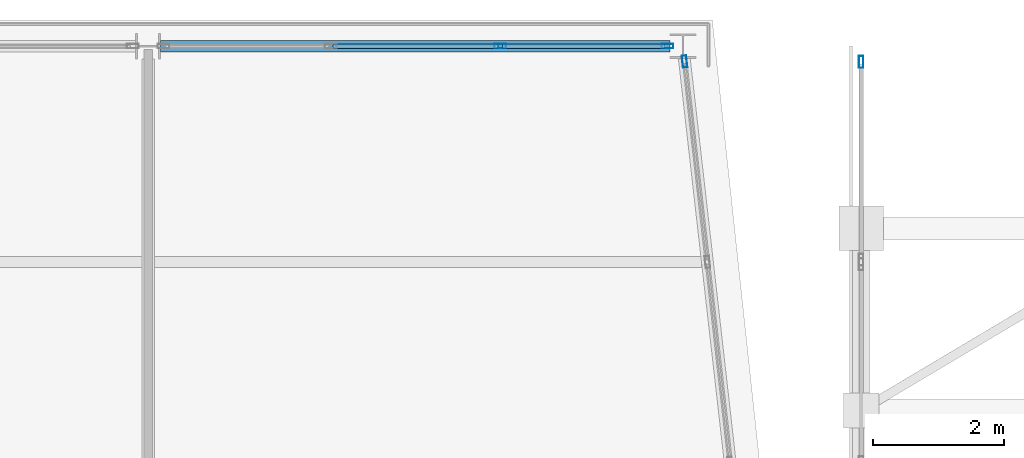
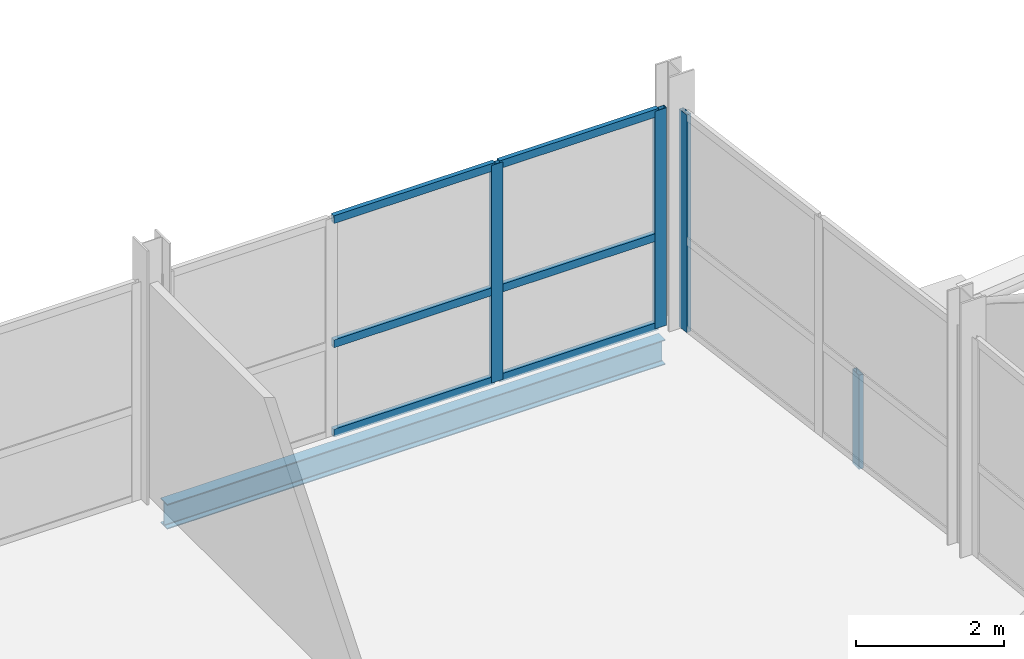
# One storey, part 26 of 65: 10 members, 1 beam, 3 elements without a shape of their own.
"""IFC4 building model written with IfcOpenShell, lengths in metres."""

from ifc_helpers import new_model, si_unit, direction, frame, origin, origin_2d, place, context, subcontext, project, spatial, hollow_rectangle, i_section, extrude, material, layer, layer_set, material_profile, profile_set, type_object, element, aggregate, save


model = new_model("IFC4")

# Units and contexts
model_context = context("Model", 3, precision=1e-05, world=origin(), true_north=direction((0.0, 1.0)))
body_context = subcontext(model_context, "Body", "Model", "MODEL_VIEW")
ifc_project = project(units=[si_unit("LENGTHUNIT", "METRE"), si_unit("AREAUNIT", "SQUARE_METRE"), si_unit("VOLUMEUNIT", "CUBIC_METRE"), si_unit("PLANEANGLEUNIT", "RADIAN"), si_unit("MASSUNIT", "GRAM", prefix="KILO")], contexts=[model_context])

# Site, building, storey
site_placement = place(None, origin())
site = spatial("IfcSite", under=ifc_project, at=site_placement, CompositionType="ELEMENT")
building_placement = place(site_placement, origin())
building = spatial("IfcBuilding", under=site, at=building_placement, Name="Quillay Park Conservatory", CompositionType="ELEMENT")
storey_placement = place(building_placement, frame((0.0, 0.0, 14.10009765625)))
storey = spatial("IfcBuildingStorey", under=building, at=storey_placement, Name="L03", CompositionType="ELEMENT", Elevation=14.10009765625)

# Curtain wall, member
ifc_material_1 = material(Name="Thermally Broken Anodised Aluminium 6063-T6", Category="aluminium")
ifc_layer_1 = layer(ifc_material_1, 0.179931640625)
ifc_layer_set_1 = layer_set([ifc_layer_1], Name="UNITISED CURTAIN WALL TOWER (Thermally Broken Anodised Aluminium 6063-T6)")
curtain_wall_type_1 = type_object("IfcCurtainWallType", Name="UNITISED CURTAIN WALL TOWER", PredefinedType="USERDEFINED", material=ifc_layer_set_1)
curtain_wall_1_placement = place(storey_placement, origin())
curtain_wall_1 = element("IfcCurtainWall", 1, at=curtain_wall_1_placement, inside=storey, type_object=curtain_wall_type_1, Name="L03 Unitised Curtain Wall 034", ObjectType="UNITISED CURTAIN WALL", PredefinedType="USERDEFINED")
ifc_material_2 = material(Name="Thermally Broken Anodised Aluminium 6063-T6", Category="aluminium")
ifc_material_profile_1 = material_profile(ifc_material_2, hollow_rectangle(XDim=0.070068359375, YDim=0.179931640625, WallThickness=0.00390625, at=origin_2d()), Name="AL70x180x4")
ifc_profile_set_1 = profile_set([ifc_material_profile_1], Name="Thermally Broken Anodised Aluminium 6063-T6")
member_type_1 = type_object("IfcMemberType", Name="CURTAIN WALL MULLION 70 X180", PredefinedType="MULLION", material=ifc_profile_set_1)
member_1_placement = place(storey_placement, frame((27.95166015625, 113.16650390625, 0.0), z_axis=(0.0, 0.0, 1.0), x_axis=(0.993605989969, 0.112903218278, 0.0)))
member_1 = element("IfcMember", 2, at=member_1_placement, type_object=member_type_1, Name="CW-T1 mullion 1", PredefinedType="MULLION", context=body_context, shape_type="SweptSolid", body=[
    extrude(hollow_rectangle(XDim=0.070068359375, YDim=0.179931640625, WallThickness=0.00390625, at=origin_2d()), origin(), (0.0, 0.0, 1.0), 3.598876953125),
])
aggregate(curtain_wall_1, [member_1])

# Curtain wall, members
curtain_wall_2_placement = place(storey_placement, origin())
curtain_wall_2 = element("IfcCurtainWall", 3, at=curtain_wall_2_placement, inside=storey, type_object=curtain_wall_type_1, Name="L03 Unitised Curtain Wall 037", ObjectType="UNITISED CURTAIN WALL", PredefinedType="USERDEFINED")
member_2_placement = place(storey_placement, frame((25.13330078125, 113.39990234375, 0.0), z_axis=(0.0, 0.0, 1.0), x_axis=(0.0, 1.0, 0.0)))
member_2 = element("IfcMember", 4, at=member_2_placement, type_object=member_type_1, Name="CW-T1 mullion 3", PredefinedType="MULLION", context=body_context, shape_type="SweptSolid", body=[
    extrude(hollow_rectangle(XDim=0.070068359375, YDim=0.179931640625, WallThickness=0.00390625, at=origin_2d()), origin(), (0.0, 0.0, 1.0), 3.598876953125),
])
member_3_placement = place(storey_placement, frame((27.68994140625, 113.39990234375, 0.0), z_axis=(0.0, 0.0, 1.0), x_axis=(0.0, 1.0, 0.0)))
member_3 = element("IfcMember", 5, at=member_3_placement, type_object=member_type_1, Name="CW-T1 mullion 4", PredefinedType="MULLION", context=body_context, shape_type="SweptSolid", body=[
    extrude(hollow_rectangle(XDim=0.070068359375, YDim=0.179931640625, WallThickness=0.00390625, at=origin_2d()), origin(), (0.0, 0.0, 1.0), 3.598876953125),
])

# Curtain wall, member
ifc_material_3 = material(Name="Thermally Broken Anodised Aluminium 6063-T6", Category="aluminium")
ifc_layer_2 = layer(ifc_material_3, 0.219970703125)
ifc_layer_set_2 = layer_set([ifc_layer_2], Name="UNITISED CURTAIN WALL CONSERVATORY (Thermally Broken Anodised Aluminium 6063-T6)")
curtain_wall_type_2 = type_object("IfcCurtainWallType", Name="UNITISED CURTAIN WALL CONSERVATORY", PredefinedType="USERDEFINED", material=ifc_layer_set_2)
curtain_wall_3_placement = place(storey_placement, origin())
curtain_wall_3 = element("IfcCurtainWall", 6, at=curtain_wall_3_placement, inside=storey, type_object=curtain_wall_type_2, Name="L03 Unitised Curtain Wall 185", ObjectType="UNITISED CURTAIN WALL", PredefinedType="USERDEFINED")
member_4_placement = place(storey_placement, frame((30.64990234375, 113.159912109375, -3.2001953125), z_axis=(0.0, 0.0, 1.0), x_axis=(-1.0, 0.0, 0.0)))
member_4 = element("IfcMember", 7, at=member_4_placement, type_object=member_type_1, Name="CW-C1 mullion 2", PredefinedType="MULLION", context=body_context, shape_type="SweptSolid", body=[
    extrude(hollow_rectangle(XDim=0.070068359375, YDim=0.179931640625, WallThickness=0.00390625, at=origin_2d()), origin(), (0.0, 0.0, 1.0), 1.556396484375),
])
aggregate(curtain_wall_3, [member_4])

# Member
ifc_material_4 = material(Name="Thermally Broken Anodised Aluminium 6063-T6", Category="aluminium")
ifc_material_profile_2 = material_profile(ifc_material_4, hollow_rectangle(XDim=0.070068359375, YDim=0.1298828125, WallThickness=0.003173828125, at=origin_2d()), Name="AL70x130x3.2")
ifc_profile_set_2 = profile_set([ifc_material_profile_2], Name="Thermally Broken Anodised Aluminium 6063-T6")
member_type_2 = type_object("IfcMemberType", Name="CURTAIN WALL TRANSOM 70 X130", PredefinedType="USERDEFINED", material=ifc_profile_set_2)
member_5_placement = place(storey_placement, frame((22.57666015625, 113.39990234375, 0.034912109375), z_axis=(1.0, 0.0, 0.0), x_axis=(0.0, 1.0, 0.0)))
member_5 = element("IfcMember", 8, at=member_5_placement, type_object=member_type_2, Name="CW-T1 transom 2.1", ObjectType="TRANSOM", PredefinedType="USERDEFINED", context=body_context, shape_type="SweptSolid", body=[
    extrude(hollow_rectangle(XDim=0.070068359375, YDim=0.1298828125, WallThickness=0.003173828125, at=origin_2d()), origin(), (0.0, 0.0, 1.0), 2.521728515625),
])

member_6_placement = place(storey_placement, frame((22.57666015625, 113.39990234375, 1.511474609375), z_axis=(1.0, 0.0, 0.0), x_axis=(0.0, 1.0, 0.0)))
member_6 = element("IfcMember", 9, at=member_6_placement, type_object=member_type_2, Name="CW-T1 transom 2.2", ObjectType="TRANSOM", PredefinedType="USERDEFINED", context=body_context, shape_type="SweptSolid", body=[
    extrude(hollow_rectangle(XDim=0.070068359375, YDim=0.1298828125, WallThickness=0.003173828125, at=origin_2d()), origin(), (0.0, 0.0, 1.0), 2.521728515625),
])

member_7_placement = place(storey_placement, frame((22.57666015625, 113.39990234375, 3.56396484375), z_axis=(1.0, 0.0, 0.0), x_axis=(0.0, 1.0, 0.0)))
member_7 = element("IfcMember", 10, at=member_7_placement, type_object=member_type_2, Name="CW-T1 transom 2.3", ObjectType="TRANSOM", PredefinedType="USERDEFINED", context=body_context, shape_type="SweptSolid", body=[
    extrude(hollow_rectangle(XDim=0.070068359375, YDim=0.1298828125, WallThickness=0.003173828125, at=origin_2d()), origin(), (0.0, 0.0, 1.0), 2.521728515625),
])

member_8_placement = place(storey_placement, frame((25.168212890625, 113.39990234375, 0.034912109375), z_axis=(1.0, 0.0, 0.0), x_axis=(0.0, 1.0, 0.0)))
member_8 = element("IfcMember", 11, at=member_8_placement, type_object=member_type_2, Name="CW-T1 transom 3.1", ObjectType="TRANSOM", PredefinedType="USERDEFINED", context=body_context, shape_type="SweptSolid", body=[
    extrude(hollow_rectangle(XDim=0.070068359375, YDim=0.1298828125, WallThickness=0.003173828125, at=origin_2d()), origin(), (0.0, 0.0, 1.0), 2.48681640625),
])

member_9_placement = place(storey_placement, frame((25.168212890625, 113.39990234375, 1.511474609375), z_axis=(1.0, 0.0, 0.0), x_axis=(0.0, 1.0, 0.0)))
member_9 = element("IfcMember", 12, at=member_9_placement, type_object=member_type_2, Name="CW-T1 transom 3.2", ObjectType="TRANSOM", PredefinedType="USERDEFINED", context=body_context, shape_type="SweptSolid", body=[
    extrude(hollow_rectangle(XDim=0.070068359375, YDim=0.1298828125, WallThickness=0.003173828125, at=origin_2d()), origin(), (0.0, 0.0, 1.0), 2.48681640625),
])

member_10_placement = place(storey_placement, frame((25.168212890625, 113.39990234375, 3.56396484375), z_axis=(1.0, 0.0, 0.0), x_axis=(0.0, 1.0, 0.0)))
member_10 = element("IfcMember", 13, at=member_10_placement, type_object=member_type_2, Name="CW-T1 transom 3.3", ObjectType="TRANSOM", PredefinedType="USERDEFINED", context=body_context, shape_type="SweptSolid", body=[
    extrude(hollow_rectangle(XDim=0.070068359375, YDim=0.1298828125, WallThickness=0.003173828125, at=origin_2d()), origin(), (0.0, 0.0, 1.0), 2.48681640625),
])

aggregate(curtain_wall_2, [member_2, member_3, member_5, member_6, member_7, member_8, member_9, member_10])

# Beam
ifc_material_5 = material(Name="Steel ASTM A992 Grade 50", Category="steel")
ifc_material_profile_3 = material_profile(ifc_material_5, i_section(OverallWidth=0.179931640625, OverallDepth=0.4130859375, WebThickness=0.009765625, FlangeThickness=0.01611328125, FilletRadius=0.011962890625, at=origin_2d()), Name="W410x74")
ifc_profile_set_3 = profile_set([ifc_material_profile_3], Name="Steel ASTM A992 Grade 50")
beam_type = type_object("IfcBeamType", Name="PERIMETER SPANDREL BEAM W410 X74", PredefinedType="SPANDREL", material=ifc_profile_set_3)
beam_placement = place(storey_placement, frame((19.93994140625, 113.39990234375, -0.3916015625), z_axis=(1.0, 0.0, 0.0), x_axis=(0.0, 1.0, 0.0)))
element("IfcBeam", 14, at=beam_placement, inside=storey, type_object=beam_type, Name="L03 beam BM-SP-0265", PredefinedType="SPANDREL", context=body_context, shape_type="SweptSolid", body=[
    extrude(i_section(OverallWidth=0.179931640625, OverallDepth=0.4130859375, WebThickness=0.009765625, FlangeThickness=0.01611328125, FilletRadius=0.011962890625, at=origin_2d()), origin(), (0.0, 0.0, 1.0), 7.78759765625),
])

save(model, "model.ifc")
